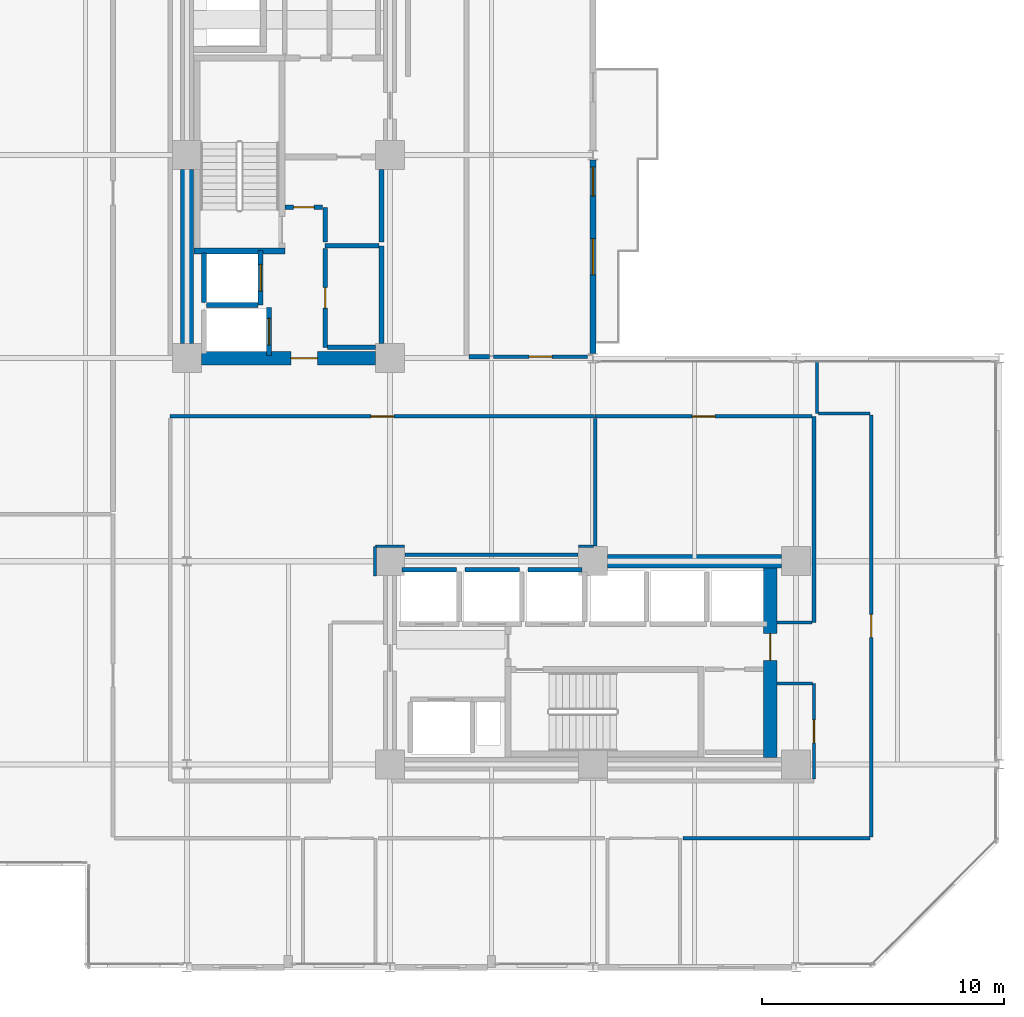
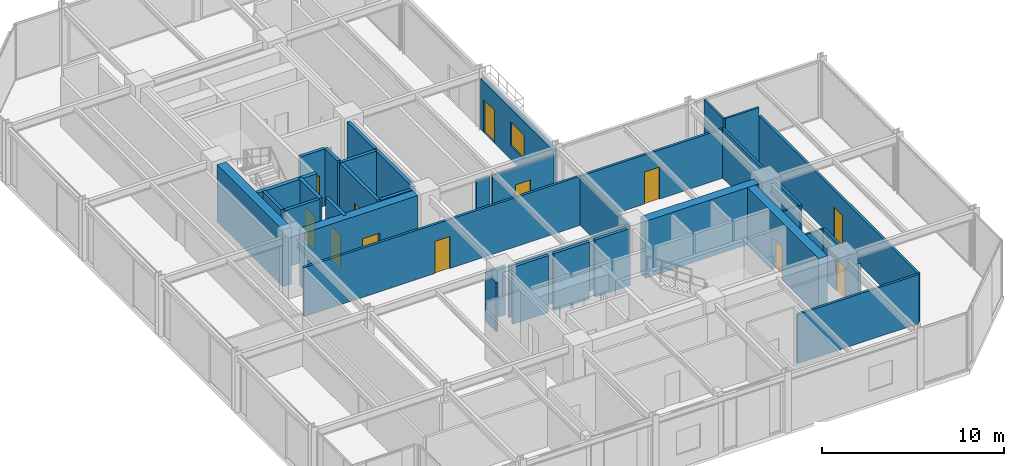
# One storey, part 25 of 29: 37 walls, 12 doors, 1 window, 13 openings.
"""IFC4 building model written with IfcOpenShell, lengths in metres."""

from ifc_helpers import new_model, si_unit, direction, frame, frame_2d, origin, place, context, subcontext, project, spatial, rectangle, extrude, material, layer, layer_set, type_object, element, fill, save


model = new_model("IFC4")

# Units and contexts
model_context = context("Model", 3, precision=1e-05, world=origin(), true_north=direction((0.0, 1.0)))
body_context = subcontext(model_context, "Body", "Model", "MODEL_VIEW")
ifc_project = project(units=[si_unit("LENGTHUNIT", "METRE"), si_unit("AREAUNIT", "SQUARE_METRE"), si_unit("VOLUMEUNIT", "CUBIC_METRE"), si_unit("PLANEANGLEUNIT", "RADIAN"), si_unit("MASSUNIT", "GRAM", prefix="KILO")], contexts=[model_context])

# Site, building, storey
site_placement = place(None, origin())
site = spatial("IfcSite", under=ifc_project, at=site_placement, CompositionType="ELEMENT")
building_placement = place(site_placement, origin())
building = spatial("IfcBuilding", under=site, at=building_placement, Name="Nerrivon Quay Data Exchange", CompositionType="ELEMENT")
storey_placement = place(building_placement, frame((0.0, 0.0, 121.300048828125)))
storey = spatial("IfcBuildingStorey", under=building, at=storey_placement, Name="L28", CompositionType="ELEMENT", Elevation=121.300048828125)

# Wall, openings, door, window
ifc_material_1 = material(Name="Architectural terracotta precast concrete N50 (50 MPa)", Category="masonry")
ifc_layer_1 = layer(ifc_material_1, 0.239990234375)
ifc_layer_set_1 = layer_set([ifc_layer_1], Name="Architectural terracotta precast concrete N50 (50 MPa)")
wall_type_1 = type_object("IfcWallType", Name="EW-PREC-240", PredefinedType="STANDARD", material=ifc_layer_set_1)
wall_1_placement = place(storey_placement, frame((25.199951171875, 33.39990234375, 0.0), z_axis=(0.0, 0.0, 1.0), x_axis=(0.0, -1.0, 0.0)))
wall_1 = element("IfcWall", 1, at=wall_1_placement, inside=storey, type_object=wall_type_1, Name="L28 Terrace Host Wall 25", PredefinedType="STANDARD", context=body_context, shape_type="SweptSolid", body=[
    extrude(rectangle(XDim=8.0, YDim=0.239990234375, at=frame_2d((4.0, 0.0))), origin(), (0.0, 0.0, 1.0), 3.421875),
])
opening_1_placement = place(wall_1_placement, frame((0.300048828125, 0.0, 0.0)))
opening_1 = element("IfcOpeningElement", 2, at=opening_1_placement, cuts=wall_1, Name="Opening TD1", PredefinedType="OPENING", context=body_context, shape_type="SweptSolid", body=[
    extrude(rectangle(XDim=1.199951171875, YDim=2.199951171875, at=frame_2d((0.60009765625, 1.10009765625))), frame((0.0, 0.1298828125, 0.0), z_axis=(0.0, -1.0, 0.0), x_axis=(1.0, 0.0, 0.0)), (0.0, 0.0, 1.0), 0.260009765625),
])
opening_2_placement = place(wall_1_placement, frame((3.25, 0.0, 0.89990234375)))
opening_2 = element("IfcOpeningElement", 3, at=opening_2_placement, cuts=wall_1, Name="Opening WN4", PredefinedType="OPENING", context=body_context, shape_type="SweptSolid", body=[
    extrude(rectangle(XDim=1.5, YDim=1.60009765625, at=frame_2d((0.75, 0.800048828125))), frame((0.0, 0.1298828125, 0.0), z_axis=(0.0, -1.0, 0.0), x_axis=(1.0, 0.0, 0.0)), (0.0, 0.0, 1.0), 0.260009765625),
])
ifc_material_2 = material(Name="Double-glazed low-E solar control glass", Category="glass")
door_type_1 = type_object("IfcDoorType", Name="DR-TERR-1200x2200", OperationType="NOTDEFINED", PredefinedType="DOOR", material=ifc_material_2)
door_1_placement = place(opening_1_placement, origin())
door_1 = element("IfcDoor", 4, at=door_1_placement, inside=storey, type_object=door_type_1, Name="L28 Outdoor Terrace Access Door 25", OperationType="SINGLE_SWING_RIGHT", OverallHeight=2.199951171875, OverallWidth=1.199951171875, PredefinedType="DOOR", context=body_context, shape_type="SweptSolid", body=[
    extrude(rectangle(XDim=1.199951171875, YDim=2.199951171875, at=frame_2d((0.60009765625, 1.10009765625))), frame((0.0, 0.02490234375, 0.0), z_axis=(0.0, -1.0, 0.0), x_axis=(1.0, 0.0, 0.0)), (0.0, 0.0, 1.0), 0.050048828125),
])
fill(opening_1, door_1)
window_type = type_object("IfcWindowType", Name="WIN-W4-1500x1600", PartitioningType="SINGLE_PANEL", PredefinedType="WINDOW", material=ifc_material_2)
window_placement = place(opening_2_placement, origin())
window = element("IfcWindow", 5, at=window_placement, inside=storey, type_object=window_type, Name="L28 Terrace Side Window 25", OverallHeight=1.60009765625, OverallWidth=1.5, PartitioningType="SINGLE_PANEL", PredefinedType="WINDOW", context=body_context, shape_type="SweptSolid", body=[
    extrude(rectangle(XDim=1.5, YDim=1.60009765625, at=frame_2d((0.75, 0.800048828125))), frame((0.0, 0.030029296875, 0.0), z_axis=(0.0, -1.0, 0.0), x_axis=(1.0, 0.0, 0.0)), (0.0, 0.0, 1.0), 0.06005859375),
])
fill(opening_2, window)

# Wall
ifc_material_3 = material(Name="Concrete S65 (65 MPa)", Category="concrete")
ifc_layer_2 = layer(ifc_material_3, 0.550048828125)
ifc_layer_set_2 = layer_set([ifc_layer_2], Name="Concrete S65 (65 MPa)")
wall_type_2 = type_object("IfcWallType", Name="WALL-CW-700", PredefinedType="SHEAR", material=ifc_layer_set_2)
wall_2_placement = place(storey_placement, frame((8.39990234375, 25.800048828125, 0.0), z_axis=(0.0, 0.0, 1.0), x_axis=(0.0, 1.0, 0.0)))
element("IfcWall", 6, at=wall_2_placement, inside=storey, type_object=wall_type_2, Name="L28 West Split-Core Shear Wall WCW-W1", PredefinedType="SHEAR", context=body_context, shape_type="SweptSolid", body=[
    extrude(rectangle(XDim=7.199951171875, YDim=0.550048828125, at=frame_2d((3.60009765625, 0.0))), origin(), (0.0, 0.0, 1.0), 3.824951171875),
])

# Wall, opening, door
wall_3_placement = place(storey_placement, frame((9.0, 25.199951171875, 0.0), z_axis=(0.0, 0.0, 1.0), x_axis=(1.0, 0.0, 0.0)))
wall_3 = element("IfcWall", 7, at=wall_3_placement, inside=storey, type_object=wall_type_2, Name="L28 West Split-Core Shear Wall WCW-S1", PredefinedType="SHEAR", context=body_context, shape_type="SweptSolid", body=[
    extrude(rectangle(XDim=7.199951171875, YDim=0.550048828125, at=frame_2d((3.60009765625, 0.0))), origin(), (0.0, 0.0, 1.0), 3.824951171875),
])
opening_3_placement = place(wall_3_placement, frame((3.699951171875, 0.0, 0.0)))
opening_3 = element("IfcOpeningElement", 8, at=opening_3_placement, cuts=wall_3, Name="Opening FD-120", PredefinedType="OPENING", context=body_context, shape_type="SweptSolid", body=[
    extrude(rectangle(XDim=1.10009765625, YDim=2.14990234375, at=frame_2d((0.550048828125, 1.074951171875))), frame((0.0, 0.284912109375, 0.0), z_axis=(0.0, -1.0, 0.0), x_axis=(1.0, 0.0, 0.0)), (0.0, 0.0, 1.0), 0.570068359375),
])
ifc_material_4 = material(Name="Powder-coated galvanized steel sheet", Category="steel")
door_type_2 = type_object("IfcDoorType", Name="DR-FD120-1100", OperationType="NOTDEFINED", PredefinedType="DOOR", material=ifc_material_4)
door_2_placement = place(opening_3_placement, origin())
door_2 = element("IfcDoor", 9, at=door_2_placement, inside=storey, type_object=door_type_2, Name="L28 West Core Lobby Fire Door", OperationType="SINGLE_SWING_RIGHT", OverallHeight=2.14990234375, OverallWidth=1.10009765625, PredefinedType="DOOR", context=body_context, shape_type="SweptSolid", body=[
    extrude(rectangle(XDim=1.10009765625, YDim=2.14990234375, at=frame_2d((0.550048828125, 1.074951171875))), frame((0.0, 0.02490234375, 0.0), z_axis=(0.0, -1.0, 0.0), x_axis=(1.0, 0.0, 0.0)), (0.0, 0.0, 1.0), 0.050048828125),
])
fill(opening_3, door_2)

wall_4_placement = place(storey_placement, frame((32.52490234375, 8.675048828125, 0.0), z_axis=(0.0, 0.0, 1.0), x_axis=(0.0, 1.0, 0.0)))
wall_4 = element("IfcWall", 10, at=wall_4_placement, inside=storey, type_object=wall_type_2, Name="L28 East Split-Core Shear Wall ECW-E1", PredefinedType="SHEAR", context=body_context, shape_type="SweptSolid", body=[
    extrude(rectangle(XDim=7.849853515625, YDim=0.550048828125, at=frame_2d((3.9248046875, 0.0))), origin(), (0.0, 0.0, 1.0), 3.824951171875),
])
opening_4_placement = place(wall_4_placement, frame((4.02490234375, 0.0, 0.0)))
opening_4 = element("IfcOpeningElement", 11, at=opening_4_placement, cuts=wall_4, Name="Opening FD-120", PredefinedType="OPENING", context=body_context, shape_type="SweptSolid", body=[
    extrude(rectangle(XDim=1.10009765625, YDim=2.14990234375, at=frame_2d((0.550048828125, 1.074951171875))), frame((0.0, 0.284912109375, 0.0), z_axis=(0.0, -1.0, 0.0), x_axis=(1.0, 0.0, 0.0)), (0.0, 0.0, 1.0), 0.570068359375),
])
door_3_placement = place(opening_4_placement, origin())
door_3 = element("IfcDoor", 12, at=door_3_placement, inside=storey, type_object=door_type_2, Name="L28 East Core Lobby Fire Door", OperationType="SINGLE_SWING_LEFT", OverallHeight=2.14990234375, OverallWidth=1.10009765625, PredefinedType="DOOR", context=body_context, shape_type="SweptSolid", body=[
    extrude(rectangle(XDim=1.10009765625, YDim=2.14990234375, at=frame_2d((0.550048828125, 1.074951171875))), frame((0.0, 0.02490234375, 0.0), z_axis=(0.0, -1.0, 0.0), x_axis=(1.0, 0.0, 0.0)), (0.0, 0.0, 1.0), 0.050048828125),
])
fill(opening_4, door_3)

# Wall
wall_5_placement = place(storey_placement, frame((25.800048828125, 16.800048828125, 0.0), z_axis=(0.0, 0.0, 1.0), x_axis=(1.0, 0.0, 0.0)))
element("IfcWall", 13, at=wall_5_placement, inside=storey, type_object=wall_type_2, Name="L28 East Split-Core Shear Wall ECW-N1", PredefinedType="SHEAR", context=body_context, shape_type="SweptSolid", body=[
    extrude(rectangle(XDim=7.199951171875, YDim=0.550048828125, at=frame_2d((3.60009765625, 0.0))), origin(), (0.0, 0.0, 1.0), 3.824951171875),
])

# Wall, opening, door
ifc_material_5 = material(Name="Gypsum plasterboard on cold-formed framing", Category="gypsum")
ifc_layer_3 = layer(ifc_material_5, 0.199951171875)
ifc_layer_set_3 = layer_set([ifc_layer_3], Name="Gypsum plasterboard on cold-formed framing")
wall_type_3 = type_object("IfcWallType", Name="WALL-FW-200", PredefinedType="PARTITIONING", material=ifc_layer_set_3)
wall_6_placement = place(storey_placement, frame((11.449951171875, 27.39990234375, 0.0), z_axis=(0.0, 0.0, 1.0), x_axis=(0.0, 1.0, 0.0)))
wall_6 = element("IfcWall", 14, at=wall_6_placement, inside=storey, type_object=wall_type_3, Name="L28 Lift Front Wall FFL-1", PredefinedType="PARTITIONING", context=body_context, shape_type="SweptSolid", body=[
    extrude(rectangle(XDim=2.25, YDim=0.199951171875, at=frame_2d((1.125, 0.0))), origin(), (0.0, 0.0, 1.0), 3.824951171875),
])
opening_5_placement = place(wall_6_placement, frame((0.574951171875, 0.0, 0.0)))
opening_5 = element("IfcOpeningElement", 15, at=opening_5_placement, cuts=wall_6, Name="Opening LD-120", PredefinedType="OPENING", context=body_context, shape_type="SweptSolid", body=[
    extrude(rectangle(XDim=1.10009765625, YDim=2.199951171875, at=frame_2d((0.550048828125, 1.10009765625))), frame((0.0, 0.10986328125, 0.0), z_axis=(0.0, -1.0, 0.0), x_axis=(1.0, 0.0, 0.0)), (0.0, 0.0, 1.0), 0.219970703125),
])
door_type_3 = type_object("IfcDoorType", Name="DR-LIFT-LD120", OperationType="DOUBLE_DOOR_SLIDING", PredefinedType="DOOR", material=ifc_material_4)
door_4_placement = place(opening_5_placement, origin())
door_4 = element("IfcDoor", 16, at=door_4_placement, inside=storey, type_object=door_type_3, Name="L28 Lift Landing Sliding Door FFL-1", OperationType="DOUBLE_DOOR_SLIDING", OverallHeight=2.199951171875, OverallWidth=1.10009765625, PredefinedType="DOOR", context=body_context, shape_type="SweptSolid", body=[
    extrude(rectangle(XDim=1.10009765625, YDim=2.199951171875, at=frame_2d((0.550048828125, 1.10009765625))), frame((0.0, 0.02490234375, 0.0), z_axis=(0.0, -1.0, 0.0), x_axis=(1.0, 0.0, 0.0)), (0.0, 0.0, 1.0), 0.050048828125),
])
fill(opening_5, door_4)

# Walls
wall_7_placement = place(storey_placement, frame((9.10009765625, 27.5, 0.0), z_axis=(0.0, 0.0, 1.0), x_axis=(0.0, 1.0, 0.0)))
element("IfcWall", 17, at=wall_7_placement, inside=storey, type_object=wall_type_3, Name="L28 Lift Shaft Wall FFL-1 WEST", PredefinedType="PARTITIONING", context=body_context, shape_type="SweptSolid", body=[
    extrude(rectangle(XDim=2.050048828125, YDim=0.199951171875, at=frame_2d((1.02490234375, 0.0))), origin(), (0.0, 0.0, 1.0), 3.824951171875),
])
wall_8_placement = place(storey_placement, frame((9.199951171875, 27.39990234375, 0.0), z_axis=(0.0, 0.0, 1.0), x_axis=(1.0, 0.0, 0.0)))
element("IfcWall", 18, at=wall_8_placement, inside=storey, type_object=wall_type_3, Name="L28 Lift Shaft Wall FFL-1 SOUTH", PredefinedType="PARTITIONING", context=body_context, shape_type="SweptSolid", body=[
    extrude(rectangle(XDim=2.150146484375, YDim=0.199951171875, at=frame_2d((1.0751953125, 0.0))), origin(), (0.0, 0.0, 1.0), 3.824951171875),
])

# Wall, opening, door
wall_9_placement = place(storey_placement, frame((11.800048828125, 25.300048828125, 0.0), z_axis=(0.0, 0.0, 1.0), x_axis=(0.0, 1.0, 0.0)))
wall_9 = element("IfcWall", 19, at=wall_9_placement, inside=storey, type_object=wall_type_3, Name="L28 Lift Front Wall SVL-1", PredefinedType="PARTITIONING", context=body_context, shape_type="SweptSolid", body=[
    extrude(rectangle(XDim=2.0, YDim=0.199951171875, at=frame_2d((1.0, 0.0))), origin(), (0.0, 0.0, 1.0), 3.824951171875),
])
opening_6_placement = place(wall_9_placement, frame((0.449951171875, 0.0, 0.0)))
opening_6 = element("IfcOpeningElement", 20, at=opening_6_placement, cuts=wall_9, Name="Opening LD-120", PredefinedType="OPENING", context=body_context, shape_type="SweptSolid", body=[
    extrude(rectangle(XDim=1.10009765625, YDim=2.199951171875, at=frame_2d((0.550048828125, 1.10009765625))), frame((0.0, 0.10986328125, 0.0), z_axis=(0.0, -1.0, 0.0), x_axis=(1.0, 0.0, 0.0)), (0.0, 0.0, 1.0), 0.219970703125),
])
door_5_placement = place(opening_6_placement, origin())
door_5 = element("IfcDoor", 21, at=door_5_placement, inside=storey, type_object=door_type_3, Name="L28 Lift Landing Sliding Door SVL-1", OperationType="DOUBLE_DOOR_SLIDING", OverallHeight=2.199951171875, OverallWidth=1.10009765625, PredefinedType="DOOR", context=body_context, shape_type="SweptSolid", body=[
    extrude(rectangle(XDim=1.10009765625, YDim=2.199951171875, at=frame_2d((0.550048828125, 1.10009765625))), frame((0.0, 0.02490234375, 0.0), z_axis=(0.0, -1.0, 0.0), x_axis=(1.0, 0.0, 0.0)), (0.0, 0.0, 1.0), 0.050048828125),
])
fill(opening_6, door_5)

# Walls
for number, where, z_axis, x_axis, name in (
    (22, (17.300048828125, 16.449951171875, 0.0), (0.0, 0.0, 1.0), (1.0, 0.0, 0.0), "L28 Lift Shaft Wall PL4 NORTH"),
    (23, (19.89990234375, 16.449951171875, 0.0), (0.0, 0.0, 1.0), (1.0, 0.0, 0.0), "L28 Lift Shaft Wall PL5 NORTH"),
    (24, (22.5, 16.449951171875, 0.0), (0.0, 0.0, 1.0), (1.0, 0.0, 0.0), "L28 Lift Shaft Wall PL6 NORTH"),
):
    element("IfcWall", number, at=place(storey_placement, frame(where, z_axis=z_axis, x_axis=x_axis)), inside=storey, type_object=wall_type_3, Name=name, PredefinedType="PARTITIONING", context=body_context, shape_type="SweptSolid", body=[
        extrude(rectangle(XDim=2.25, YDim=0.199951171875, at=frame_2d((1.125, 0.0))), origin(), (0.0, 0.0, 1.0), 3.824951171875),
    ])
wall_10_placement = place(storey_placement, frame((16.449951171875, 25.804931640625, 0.0), z_axis=(0.0, 0.0, 1.0), x_axis=(0.0, 1.0, 0.0)))
element("IfcWall", 25, at=wall_10_placement, inside=storey, type_object=wall_type_3, Name="L28 Partition Telemetry Hub Closet", PredefinedType="PARTITIONING", context=body_context, shape_type="SweptSolid", body=[
    extrude(rectangle(XDim=4.045166015625, YDim=0.199951171875, at=frame_2d((2.0224609375, 0.0))), origin(), (0.0, 0.0, 1.0), 3.824951171875),
])
wall_11_placement = place(storey_placement, frame((16.345947265625, 29.85009765625, 0.0), z_axis=(0.0, 0.0, 1.0), x_axis=(-1.0, 0.0, 0.0)))
element("IfcWall", 26, at=wall_11_placement, inside=storey, type_object=wall_type_3, Name="L28 Partition Telemetry Hub Closet", PredefinedType="PARTITIONING", context=body_context, shape_type="SweptSolid", body=[
    extrude(rectangle(XDim=2.225830078125, YDim=0.199951171875, at=frame_2d((1.11279296875, 0.0))), origin(), (0.0, 0.0, 1.0), 3.824951171875),
])

# Wall, opening, door
wall_12_placement = place(storey_placement, frame((14.1201171875, 29.74609375, 0.0), z_axis=(0.0, 0.0, 1.0), x_axis=(0.0, -1.0, 0.0)))
wall_12 = element("IfcWall", 27, at=wall_12_placement, inside=storey, type_object=wall_type_3, Name="L28 Partition Telemetry Hub Closet", PredefinedType="PARTITIONING", context=body_context, shape_type="SweptSolid", body=[
    extrude(rectangle(XDim=4.09619140625, YDim=0.199951171875, at=frame_2d((2.048095703125, 0.0))), origin(), (0.0, 0.0, 1.0), 3.824951171875),
])
opening_7_placement = place(wall_12_placement, frame((1.623046875, 0.0, 0.0)))
opening_7 = element("IfcOpeningElement", 28, at=opening_7_placement, cuts=wall_12, Name="Opening FD-60S", PredefinedType="OPENING", context=body_context, shape_type="SweptSolid", body=[
    extrude(rectangle(XDim=0.85009765625, YDim=2.14990234375, at=frame_2d((0.425048828125, 1.074951171875))), frame((0.0, 0.10986328125, 0.0), z_axis=(0.0, -1.0, 0.0), x_axis=(1.0, 0.0, 0.0)), (0.0, 0.0, 1.0), 0.219970703125),
])
ifc_material_6 = material(Name="Engineered hardwood timber", Category="wood")
door_type_4 = type_object("IfcDoorType", Name="DR-FD60-850", OperationType="NOTDEFINED", PredefinedType="DOOR", material=ifc_material_6)
door_6_placement = place(opening_7_placement, origin())
door_6 = element("IfcDoor", 29, at=door_6_placement, inside=storey, type_object=door_type_4, Name="L28 Door Telemetry Hub Closet", OperationType="SINGLE_SWING_LEFT", OverallHeight=2.14990234375, OverallWidth=0.85009765625, PredefinedType="DOOR", context=body_context, shape_type="SweptSolid", body=[
    extrude(rectangle(XDim=0.85009765625, YDim=2.14990234375, at=frame_2d((0.425048828125, 1.074951171875))), frame((0.0, 0.02490234375, 0.0), z_axis=(0.0, -1.0, 0.0), x_axis=(1.0, 0.0, 0.0)), (0.0, 0.0, 1.0), 0.050048828125),
])
fill(opening_7, door_6)

# Walls
wall_13_placement = place(storey_placement, frame((14.22412109375, 25.64990234375, 0.0), z_axis=(0.0, 0.0, 1.0), x_axis=(1.0, 0.0, 0.0)))
element("IfcWall", 30, at=wall_13_placement, inside=storey, type_object=wall_type_3, Name="L28 Partition Telemetry Hub Closet", PredefinedType="PARTITIONING", context=body_context, shape_type="SweptSolid", body=[
    extrude(rectangle(XDim=1.970947265625, YDim=0.199951171875, at=frame_2d((0.9853515625, 0.0))), origin(), (0.0, 0.0, 1.0), 3.824951171875),
])
wall_14_placement = place(storey_placement, frame((14.1201171875, 31.43994140625, 0.0), z_axis=(0.0, 0.0, 1.0), x_axis=(0.0, -1.0, 0.0)))
element("IfcWall", 31, at=wall_14_placement, inside=storey, type_object=wall_type_3, Name="L28 Partition Core Equipment Store", PredefinedType="PARTITIONING", context=body_context, shape_type="SweptSolid", body=[
    extrude(rectangle(XDim=1.43994140625, YDim=0.199951171875, at=frame_2d((0.719970703125, 0.0))), origin(), (0.0, 0.0, 1.0), 3.824951171875),
])
wall_15_placement = place(storey_placement, frame((16.449951171875, 30.0, 0.0), z_axis=(0.0, 0.0, 1.0), x_axis=(0.0, 1.0, 0.0)))
element("IfcWall", 32, at=wall_15_placement, inside=storey, type_object=wall_type_3, Name="L28 Partition Core Equipment Store", PredefinedType="PARTITIONING", context=body_context, shape_type="SweptSolid", body=[
    extrude(rectangle(XDim=2.9951171875, YDim=0.199951171875, at=frame_2d((1.49755859375, 0.0))), origin(), (0.0, 0.0, 1.0), 3.824951171875),
])

# Wall, opening, door
wall_16_placement = place(storey_placement, frame((12.4541015625, 31.43994140625, 0.0), z_axis=(0.0, 0.0, 1.0), x_axis=(1.0, 0.0, 0.0)))
wall_16 = element("IfcWall", 33, at=wall_16_placement, inside=storey, type_object=wall_type_3, Name="L28 Partition Core Equipment Store", PredefinedType="PARTITIONING", context=body_context, shape_type="SweptSolid", body=[
    extrude(rectangle(XDim=1.56201171875, YDim=0.199951171875, at=frame_2d((0.781005859375, 0.0))), origin(), (0.0, 0.0, 1.0), 3.824951171875),
])
opening_8_placement = place(wall_16_placement, frame((0.35595703125, 0.0, 0.0)))
opening_8 = element("IfcOpeningElement", 34, at=opening_8_placement, cuts=wall_16, Name="Opening FD-60S", PredefinedType="OPENING", context=body_context, shape_type="SweptSolid", body=[
    extrude(rectangle(XDim=0.85009765625, YDim=2.14990234375, at=frame_2d((0.425048828125, 1.074951171875))), frame((0.0, 0.10986328125, 0.0), z_axis=(0.0, -1.0, 0.0), x_axis=(1.0, 0.0, 0.0)), (0.0, 0.0, 1.0), 0.219970703125),
])
door_7_placement = place(opening_8_placement, origin())
door_7 = element("IfcDoor", 35, at=door_7_placement, inside=storey, type_object=door_type_4, Name="L28 Door Core Equipment Store", OperationType="SINGLE_SWING_RIGHT", OverallHeight=2.14990234375, OverallWidth=0.85009765625, PredefinedType="DOOR", context=body_context, shape_type="SweptSolid", body=[
    extrude(rectangle(XDim=0.85009765625, YDim=2.14990234375, at=frame_2d((0.425048828125, 1.074951171875))), frame((0.0, 0.02490234375, 0.0), z_axis=(0.0, -1.0, 0.0), x_axis=(1.0, 0.0, 0.0)), (0.0, 0.0, 1.0), 0.050048828125),
])
fill(opening_8, door_7)

# Walls
wall_17_placement = place(storey_placement, frame((20.06396484375, 25.260009765625, 0.0), z_axis=(0.0, 0.0, 1.0), x_axis=(1.0, 0.0, 0.0)))
element("IfcWall", 36, at=wall_17_placement, inside=storey, type_object=wall_type_3, Name="L28 Partition Colocation Data Workspace 1", PredefinedType="PARTITIONING", context=body_context, shape_type="SweptSolid", body=[
    extrude(rectangle(XDim=0.85693359375, YDim=0.199951171875, at=frame_2d((0.428466796875, 0.0))), origin(), (0.0, 0.0, 1.0), 3.2919921875),
])
ifc_layer_4 = layer(ifc_material_5, 0.1201171875)
ifc_layer_set_4 = layer_set([ifc_layer_4], Name="Gypsum plasterboard on cold-formed framing")
wall_type_4 = type_object("IfcWallType", Name="WALL-PT-120", PredefinedType="PARTITIONING", material=ifc_layer_set_4)
wall_18_placement = place(storey_placement, frame((34.2685546875, 11.739990234375, 0.0), z_axis=(0.0, 0.0, 1.0), x_axis=(-1.0, 0.0, 0.0)))
element("IfcWall", 37, at=wall_18_placement, inside=storey, type_object=wall_type_4, Name="L28 Partition Staff Pantry", PredefinedType="PARTITIONING", context=body_context, shape_type="SweptSolid", body=[
    extrude(rectangle(XDim=1.464599609375, YDim=0.1201171875, at=frame_2d((0.732421875, 0.0))), origin(), (0.0, 0.0, 1.0), 3.296875),
])
wall_19_placement = place(storey_placement, frame((32.803955078125, 14.260009765625, 0.0), z_axis=(0.0, 0.0, 1.0), x_axis=(1.0, 0.0, 0.0)))
element("IfcWall", 38, at=wall_19_placement, inside=storey, type_object=wall_type_4, Name="L28 Partition Peering Huddle Meeting Room", PredefinedType="PARTITIONING", context=body_context, shape_type="SweptSolid", body=[
    extrude(rectangle(XDim=1.45703125, YDim=0.1201171875, at=frame_2d((0.728515625, 0.0))), origin(), (0.0, 0.0, 1.0), 3.296875),
])
wall_20_placement = place(storey_placement, frame((16.180908203125, 16.194091796875, 0.0), z_axis=(0.0, 0.0, 1.0), x_axis=(-0.000809880277, 0.999999672047, 0.0)))
element("IfcWall", 39, at=wall_20_placement, inside=storey, type_object=wall_type_4, Name="L28 Partition Staff Bistro", PredefinedType="PARTITIONING", context=body_context, shape_type="SweptSolid", body=[
    extrude(rectangle(XDim=1.205810546875, YDim=0.1201171875, at=frame_2d((0.60302734375, 0.0))), origin(), (0.0, 0.0, 1.0), 3.2919921875),
])
wall_21_placement = place(storey_placement, frame((16.194091796875, 17.419189453125, 0.0), z_axis=(0.0, 0.0, 1.0), x_axis=(1.0, 0.0, 0.0)))
element("IfcWall", 40, at=wall_21_placement, inside=storey, type_object=wall_type_4, Name="L28 Partition Staff Bistro", PredefinedType="PARTITIONING", context=body_context, shape_type="SweptSolid", body=[
    extrude(rectangle(XDim=1.211669921875, YDim=0.1201171875, at=frame_2d((0.60595703125, 0.0))), origin(), (0.0, 0.0, 1.0), 3.296875),
])
wall_22_placement = place(storey_placement, frame((24.60009765625, 17.419921875, 0.0), z_axis=(0.0, 0.0, 1.0), x_axis=(1.0, 0.0, 0.0)))
element("IfcWall", 41, at=wall_22_placement, inside=storey, type_object=wall_type_4, Name="L28 Partition Staff Bistro", PredefinedType="PARTITIONING", context=body_context, shape_type="SweptSolid", body=[
    extrude(rectangle(XDim=0.6142578125, YDim=0.1201171875, at=frame_2d((0.30712890625, 0.0))), origin(), (0.0, 0.0, 1.0), 3.296875),
])
wall_23_placement = place(storey_placement, frame((34.4599609375, 25.031005859375, 0.0), z_axis=(0.0, 0.0, 1.0), x_axis=(0.0, -1.0, 0.0)))
element("IfcWall", 42, at=wall_23_placement, inside=storey, type_object=wall_type_4, Name="L28 Partition Technical Library", PredefinedType="PARTITIONING", context=body_context, shape_type="SweptSolid", body=[
    extrude(rectangle(XDim=2.12109375, YDim=0.1201171875, at=frame_2d((1.060546875, 0.0))), origin(), (0.0, 0.0, 1.0), 3.824951171875),
])
wall_24_placement = place(storey_placement, frame((34.52392578125, 22.909912109375, 0.0), z_axis=(0.0, 0.0, 1.0), x_axis=(1.0, 0.0, 0.0)))
element("IfcWall", 43, at=wall_24_placement, inside=storey, type_object=wall_type_4, Name="L28 Partition Technical Library", PredefinedType="PARTITIONING", context=body_context, shape_type="SweptSolid", body=[
    extrude(rectangle(XDim=2.1259765625, YDim=0.1201171875, at=frame_2d((1.06298828125, 0.0))), origin(), (0.0, 0.0, 1.0), 3.824951171875),
])

# Wall, opening, door
ifc_layer_5 = layer(ifc_material_5, 0.135009765625)
ifc_layer_set_5 = layer_set([ifc_layer_5], Name="Gypsum plasterboard on cold-formed framing")
wall_type_5 = type_object("IfcWallType", Name="WALL-PT-135", PredefinedType="PARTITIONING", material=ifc_layer_set_5)
wall_25_placement = place(storey_placement, frame((34.340087890625, 7.7890625, 0.0), z_axis=(0.0, 0.0, 1.0), x_axis=(0.0, 1.0, 0.0)))
wall_25 = element("IfcWall", 44, at=wall_25_placement, inside=storey, type_object=wall_type_5, Name="L28 Partition Staff Pantry", PredefinedType="PARTITIONING", context=body_context, shape_type="SweptSolid", body=[
    extrude(rectangle(XDim=3.950927734375, YDim=0.135009765625, at=frame_2d((1.9755859375, 0.0))), origin(), (0.0, 0.0, 1.0), 3.2919921875),
])
opening_9_placement = place(wall_25_placement, frame((1.50048828125, 0.0, 0.0)))
opening_9 = element("IfcOpeningElement", 45, at=opening_9_placement, cuts=wall_25, Name="Opening D-01", PredefinedType="OPENING", context=body_context, shape_type="SweptSolid", body=[
    extrude(rectangle(XDim=0.949951171875, YDim=2.14990234375, at=frame_2d((0.47509765625, 1.074951171875))), frame((0.0, 0.077392578125, 0.0), z_axis=(0.0, -1.0, 0.0), x_axis=(1.0, 0.0, 0.0)), (0.0, 0.0, 1.0), 0.155029296875),
])
door_type_5 = type_object("IfcDoorType", Name="DR-INT-950", OperationType="NOTDEFINED", PredefinedType="DOOR", material=ifc_material_6)
door_8_placement = place(opening_9_placement, origin())
door_8 = element("IfcDoor", 46, at=door_8_placement, inside=storey, type_object=door_type_5, Name="L28 Door Staff Pantry", OperationType="SINGLE_SWING_RIGHT", OverallHeight=2.14990234375, OverallWidth=0.949951171875, PredefinedType="DOOR", context=body_context, shape_type="SweptSolid", body=[
    extrude(rectangle(XDim=0.949951171875, YDim=2.14990234375, at=frame_2d((0.47509765625, 1.074951171875))), frame((0.0, 0.02490234375, 0.0), z_axis=(0.0, -1.0, 0.0), x_axis=(1.0, 0.0, 0.0)), (0.0, 0.0, 1.0), 0.050048828125),
])
fill(opening_9, door_8)

# Wall
wall_26_placement = place(storey_placement, frame((25.285888671875, 22.7109375, 0.0), z_axis=(0.0, 0.0, 1.0), x_axis=(0.0, -1.0, 0.0)))
element("IfcWall", 47, at=wall_26_placement, inside=storey, type_object=wall_type_5, Name="L28 Partition Peering Huddle Meeting Room", PredefinedType="PARTITIONING", context=body_context, shape_type="SweptSolid", body=[
    extrude(rectangle(XDim=5.291015625, YDim=0.135009765625, at=frame_2d((2.6455078125, 0.0))), origin(), (0.0, 0.0, 1.0), 3.296875),
])

# Wall, opening, door
wall_27_placement = place(storey_placement, frame((21.0791015625, 25.260009765625, 0.0), z_axis=(0.0, 0.0, 1.0), x_axis=(1.0, 0.0, 0.0)))
wall_27 = element("IfcWall", 48, at=wall_27_placement, inside=storey, type_object=wall_type_5, Name="L28 Partition Technical Library", PredefinedType="PARTITIONING", context=body_context, shape_type="SweptSolid", body=[
    extrude(rectangle(XDim=3.90087890625, YDim=0.135009765625, at=frame_2d((1.950439453125, 0.0))), origin(), (0.0, 0.0, 1.0), 3.2919921875),
])
opening_10_placement = place(wall_27_placement, frame((1.4755859375, 0.0, 0.0)))
opening_10 = element("IfcOpeningElement", 49, at=opening_10_placement, cuts=wall_27, Name="Opening D-01", PredefinedType="OPENING", context=body_context, shape_type="SweptSolid", body=[
    extrude(rectangle(XDim=0.949951171875, YDim=2.14990234375, at=frame_2d((0.47509765625, 1.074951171875))), frame((0.0, 0.077392578125, 0.0), z_axis=(0.0, -1.0, 0.0), x_axis=(1.0, 0.0, 0.0)), (0.0, 0.0, 1.0), 0.155029296875),
])
door_9_placement = place(opening_10_placement, origin())
door_9 = element("IfcDoor", 50, at=door_9_placement, inside=storey, type_object=door_type_5, Name="L28 Door Technical Library", OperationType="SINGLE_SWING_RIGHT", OverallHeight=2.14990234375, OverallWidth=0.949951171875, PredefinedType="DOOR", context=body_context, shape_type="SweptSolid", body=[
    extrude(rectangle(XDim=0.949951171875, YDim=2.14990234375, at=frame_2d((0.47509765625, 1.074951171875))), frame((0.0, 0.02490234375, 0.0), z_axis=(0.0, -1.0, 0.0), x_axis=(1.0, 0.0, 0.0)), (0.0, 0.0, 1.0), 0.050048828125),
])
fill(opening_10, door_9)

# Wall
ifc_layer_6 = layer(ifc_material_5, 0.14990234375)
ifc_layer_set_6 = layer_set([ifc_layer_6], Name="Gypsum plasterboard on cold-formed framing")
wall_type_6 = type_object("IfcWallType", Name="WALL-PT-150", PredefinedType="PARTITIONING", material=ifc_layer_set_6)
wall_28_placement = place(storey_placement, frame((34.340087890625, 14.260009765625, 0.0), z_axis=(0.0, 0.0, 1.0), x_axis=(0.0, 1.0, 0.0)))
element("IfcWall", 51, at=wall_28_placement, inside=storey, type_object=wall_type_6, Name="L28 Partition Peering Huddle Meeting Room", PredefinedType="PARTITIONING", context=body_context, shape_type="SweptSolid", body=[
    extrude(rectangle(XDim=8.530029296875, YDim=0.14990234375, at=frame_2d((4.26513671875, 0.0))), origin(), (0.0, 0.0, 1.0), 3.2919921875),
])

# Wall, opening, door
wall_29_placement = place(storey_placement, frame((34.260986328125, 22.7900390625, 0.0), z_axis=(0.0, 0.0, 1.0), x_axis=(-1.0, 0.0, 0.0)))
wall_29 = element("IfcWall", 52, at=wall_29_placement, inside=storey, type_object=wall_type_6, Name="L28 Partition Peering Huddle Meeting Room", PredefinedType="PARTITIONING", context=body_context, shape_type="SweptSolid", body=[
    extrude(rectangle(XDim=8.97509765625, YDim=0.14990234375, at=frame_2d((4.487548828125, 0.0))), origin(), (0.0, 0.0, 1.0), 3.296875),
])
opening_11_placement = place(wall_29_placement, frame((4.0126953125, 0.0, 0.0)))
opening_11 = element("IfcOpeningElement", 53, at=opening_11_placement, cuts=wall_29, Name="Opening D-01", PredefinedType="OPENING", context=body_context, shape_type="SweptSolid", body=[
    extrude(rectangle(XDim=0.949951171875, YDim=2.14990234375, at=frame_2d((0.47509765625, 1.074951171875))), frame((0.0, 0.0849609375, 0.0), z_axis=(0.0, -1.0, 0.0), x_axis=(1.0, 0.0, 0.0)), (0.0, 0.0, 1.0), 0.169921875),
])
door_10_placement = place(opening_11_placement, origin())
door_10 = element("IfcDoor", 54, at=door_10_placement, inside=storey, type_object=door_type_5, Name="L28 Door Peering Huddle Meeting Room", OperationType="SINGLE_SWING_RIGHT", OverallHeight=2.14990234375, OverallWidth=0.949951171875, PredefinedType="DOOR", context=body_context, shape_type="SweptSolid", body=[
    extrude(rectangle(XDim=0.949951171875, YDim=2.14990234375, at=frame_2d((0.47509765625, 1.074951171875))), frame((0.0, 0.02490234375, 0.0), z_axis=(0.0, -1.0, 0.0), x_axis=(1.0, 0.0, 0.0)), (0.0, 0.0, 1.0), 0.050048828125),
])
fill(opening_11, door_10)

# Wall
wall_30_placement = place(storey_placement, frame((17.419921875, 17.074951171875, 0.0), z_axis=(0.0, 0.0, 1.0), x_axis=(1.0, 0.0, 0.0)))
element("IfcWall", 55, at=wall_30_placement, inside=storey, type_object=wall_type_6, Name="L28 Partition Staff Bistro", PredefinedType="PARTITIONING", context=body_context, shape_type="SweptSolid", body=[
    extrude(rectangle(XDim=7.16015625, YDim=0.14990234375, at=frame_2d((3.580078125, 0.0))), origin(), (0.0, 0.0, 1.0), 3.468994140625),
])

# Wall, opening, door
wall_31_placement = place(storey_placement, frame((25.265869140625, 22.7900390625, 0.0), z_axis=(0.0, 0.0, 1.0), x_axis=(-1.0, 0.0, 0.0)))
wall_31 = element("IfcWall", 56, at=wall_31_placement, inside=storey, type_object=wall_type_6, Name="L28 Partition Staff Bistro", PredefinedType="PARTITIONING", context=body_context, shape_type="SweptSolid", body=[
    extrude(rectangle(XDim=17.555908203125, YDim=0.14990234375, at=frame_2d((8.77783203125, 0.0))), origin(), (0.0, 0.0, 1.0), 3.296875),
])
opening_12_placement = place(wall_31_placement, frame((8.302978515625, 0.0, 0.0)))
opening_12 = element("IfcOpeningElement", 57, at=opening_12_placement, cuts=wall_31, Name="Opening D-01", PredefinedType="OPENING", context=body_context, shape_type="SweptSolid", body=[
    extrude(rectangle(XDim=0.949951171875, YDim=2.14990234375, at=frame_2d((0.47509765625, 1.074951171875))), frame((0.0, 0.0849609375, 0.0), z_axis=(0.0, -1.0, 0.0), x_axis=(1.0, 0.0, 0.0)), (0.0, 0.0, 1.0), 0.169921875),
])
door_11_placement = place(opening_12_placement, origin())
door_11 = element("IfcDoor", 58, at=door_11_placement, inside=storey, type_object=door_type_5, Name="L28 Door Staff Bistro", OperationType="SINGLE_SWING_RIGHT", OverallHeight=2.14990234375, OverallWidth=0.949951171875, PredefinedType="DOOR", context=body_context, shape_type="SweptSolid", body=[
    extrude(rectangle(XDim=0.949951171875, YDim=2.14990234375, at=frame_2d((0.47509765625, 1.074951171875))), frame((0.0, 0.02490234375, 0.0), z_axis=(0.0, -1.0, 0.0), x_axis=(1.0, 0.0, 0.0)), (0.0, 0.0, 1.0), 0.050048828125),
])
fill(opening_12, door_11)

# Wall
wall_32_placement = place(storey_placement, frame((36.64990234375, 5.340087890625, 0.0), z_axis=(0.0, 0.0, 1.0), x_axis=(-1.0, 0.0, 0.0)))
element("IfcWall", 59, at=wall_32_placement, inside=storey, type_object=wall_type_6, Name="L28 Partition Technical Library", PredefinedType="PARTITIONING", context=body_context, shape_type="SweptSolid", body=[
    extrude(rectangle(XDim=7.72998046875, YDim=0.14990234375, at=frame_2d((3.864990234375, 0.0))), origin(), (0.0, 0.0, 1.0), 3.296875),
])

# Wall, opening, door
wall_33_placement = place(storey_placement, frame((36.7099609375, 22.85009765625, 0.0), z_axis=(0.0, 0.0, 1.0), x_axis=(0.0, -1.0, 0.0)))
wall_33 = element("IfcWall", 60, at=wall_33_placement, inside=storey, type_object=wall_type_6, Name="L28 Partition Technical Library", PredefinedType="PARTITIONING", context=body_context, shape_type="SweptSolid", body=[
    extrude(rectangle(XDim=17.4501953125, YDim=0.14990234375, at=frame_2d((8.72509765625, 0.0))), origin(), (0.0, 0.0, 1.0), 3.2919921875),
])
opening_13_placement = place(wall_33_placement, frame((8.25, 0.0, 0.0)))
opening_13 = element("IfcOpeningElement", 61, at=opening_13_placement, cuts=wall_33, Name="Opening D-01", PredefinedType="OPENING", context=body_context, shape_type="SweptSolid", body=[
    extrude(rectangle(XDim=0.949951171875, YDim=2.14990234375, at=frame_2d((0.47509765625, 1.074951171875))), frame((0.0, 0.0849609375, 0.0), z_axis=(0.0, -1.0, 0.0), x_axis=(1.0, 0.0, 0.0)), (0.0, 0.0, 1.0), 0.169921875),
])
door_12_placement = place(opening_13_placement, origin())
door_12 = element("IfcDoor", 62, at=door_12_placement, inside=storey, type_object=door_type_5, Name="L28 Door Technical Library", OperationType="SINGLE_SWING_LEFT", OverallHeight=2.14990234375, OverallWidth=0.949951171875, PredefinedType="DOOR", context=body_context, shape_type="SweptSolid", body=[
    extrude(rectangle(XDim=0.949951171875, YDim=2.14990234375, at=frame_2d((0.47509765625, 1.074951171875))), frame((0.0, 0.02490234375, 0.0), z_axis=(0.0, -1.0, 0.0), x_axis=(1.0, 0.0, 0.0)), (0.0, 0.0, 1.0), 0.050048828125),
])
fill(opening_13, door_12)

# Wall
ifc_material_7 = material(Name="Concrete N50 (50 MPa)", Category="concrete")
ifc_layer_7 = layer(ifc_material_7, 0.25)
ifc_layer_set_7 = layer_set([ifc_layer_7], Name="Concrete N50 (50 MPa)")
wall_type_7 = type_object("IfcWallType", Name="WALL-SW-250", PredefinedType="SHEAR", material=ifc_layer_set_7)
wall_34_placement = place(storey_placement, frame((12.449951171875, 29.625, 0.0), z_axis=(0.0, 0.0, 1.0), x_axis=(-1.0, 0.0, 0.0)))
element("IfcWall", 63, at=wall_34_placement, inside=storey, type_object=wall_type_7, Name="L28 ST01 Structural Stair Core Wall NEAR", PredefinedType="SHEAR", context=body_context, shape_type="SweptSolid", body=[
    extrude(rectangle(XDim=3.75, YDim=0.25, at=frame_2d((1.875, 0.0))), origin(), (0.0, 0.0, 1.0), 3.824951171875),
])

save(model, "model.ifc")
